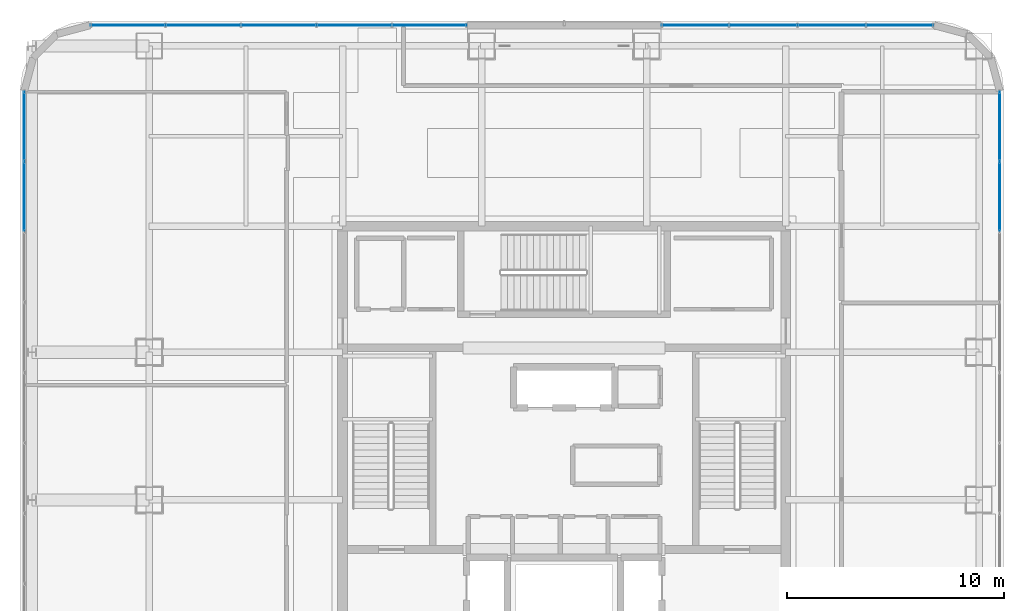
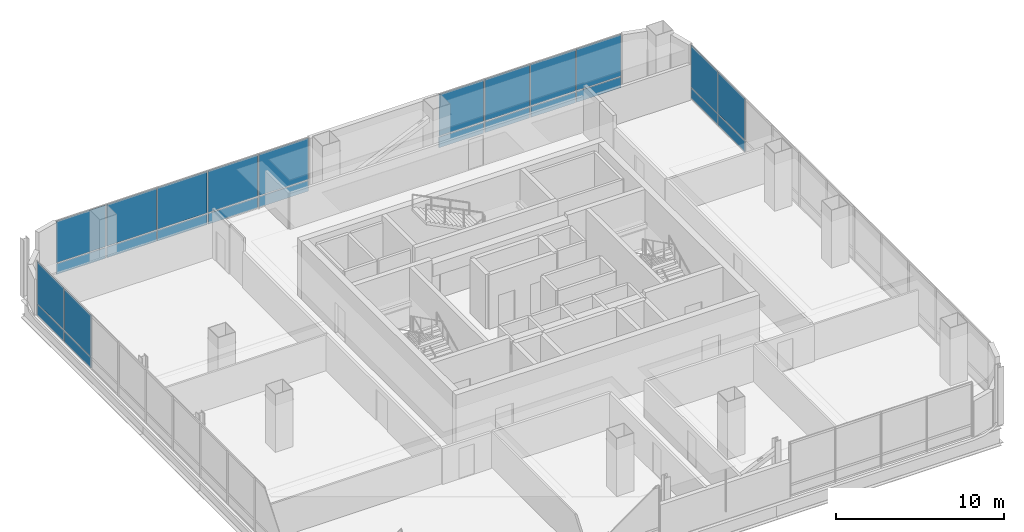
# One storey, part 33 of 46: 26 plates, 4 elements without a shape of their own.
"""IFC4 building model written with IfcOpenShell, lengths in metres."""

from ifc_helpers import new_model, si_unit, direction, frame, origin, origin_2d, place, context, subcontext, project, spatial, rectangle, extrude, material, layer, layer_set, type_object, element, aggregate, save


model = new_model("IFC4")

# Units and contexts
model_context = context("Model", 3, precision=1e-05, world=origin(), true_north=direction((0.0, 1.0)))
body_context = subcontext(model_context, "Body", "Model", "MODEL_VIEW")
ifc_project = project(units=[si_unit("LENGTHUNIT", "METRE"), si_unit("AREAUNIT", "SQUARE_METRE"), si_unit("VOLUMEUNIT", "CUBIC_METRE"), si_unit("PLANEANGLEUNIT", "RADIAN"), si_unit("MASSUNIT", "GRAM", prefix="KILO")], contexts=[model_context])

# Site, building, storey
site_placement = place(None, origin())
site = spatial("IfcSite", under=ifc_project, at=site_placement, CompositionType="ELEMENT")
building_placement = place(site_placement, origin())
building = spatial("IfcBuilding", under=site, at=building_placement, Name="Punatoya Terracotta Tower", CompositionType="ELEMENT")
storey_placement = place(building_placement, frame((0.0, 0.0, 330.0)))
storey = spatial("IfcBuildingStorey", under=building, at=storey_placement, Name="L78", CompositionType="ELEMENT", Elevation=330.0)

# Curtain wall, plates
ifc_material_1 = material(Name="Aluminium 6063-T6 + Double Low-E Glass", Category="aluminium")
curtain_wall_type = type_object("IfcCurtainWallType", Name="CW-OBS", PredefinedType="NOTDEFINED", material=ifc_material_1)
curtain_wall_1_placement = place(storey_placement, origin())
curtain_wall_1 = element("IfcCurtainWall", 1, at=curtain_wall_1_placement, inside=storey, type_object=curtain_wall_type, Name="L78 Curtain Wall CW-L78-E05-1", PredefinedType="NOTDEFINED")
ifc_material_2 = material(Name="Laminated Observation Low-Iron Glass", Category="glass")
ifc_layer_1 = layer(ifc_material_2, 0.0380859375)
ifc_layer_set_1 = layer_set([ifc_layer_1], Name="Laminated Observation Low-Iron Glass")
plate_type_1 = type_object("IfcPlateType", Name="PLT-GLZ-38", PredefinedType="CURTAIN_PANEL", material=ifc_layer_set_1)
plate_1_placement = place(storey_placement, frame((20.050048828125, 10.572265625, 0.89013671875), z_axis=(0.0, 0.0, 1.0), x_axis=(0.0, 1.0, 0.0)))
plate_1 = element("IfcPlate", 2, at=plate_1_placement, type_object=plate_type_1, Name="CW-L78-E05-1 Vision Glass Panel 10", PredefinedType="CURTAIN_PANEL", context=body_context, shape_type="SweptSolid", body=[
    extrude(rectangle(XDim=3.158203125, YDim=0.0380859375, at=origin_2d()), origin(), (0.0, 0.0, 1.0), 3.010009765625),
])
plate_2_placement = place(storey_placement, frame((20.050048828125, 13.8154296875, 0.89013671875), z_axis=(0.0, 0.0, 1.0), x_axis=(0.0, 1.0, 0.0)))
plate_2 = element("IfcPlate", 3, at=plate_2_placement, type_object=plate_type_1, Name="CW-L78-E05-1 Vision Glass Panel 11", PredefinedType="CURTAIN_PANEL", context=body_context, shape_type="SweptSolid", body=[
    extrude(rectangle(XDim=3.158203125, YDim=0.0380859375, at=origin_2d()), origin(), (0.0, 0.0, 1.0), 3.010009765625),
])

curtain_wall_2_placement = place(storey_placement, origin())
curtain_wall_2 = element("IfcCurtainWall", 4, at=curtain_wall_2_placement, inside=storey, type_object=curtain_wall_type, Name="L78 Curtain Wall CW-L78-N09-1", PredefinedType="NOTDEFINED")
plate_3_placement = place(storey_placement, frame((15.46337890625, 18.449951171875, 0.89013671875), z_axis=(0.0, 0.0, 1.0), x_axis=(-1.0, 0.0, 0.0)))
plate_3 = element("IfcPlate", 5, at=plate_3_placement, type_object=plate_type_1, Name="CW-L78-N09-1 Vision Glass Panel 1", PredefinedType="CURTAIN_PANEL", context=body_context, shape_type="SweptSolid", body=[
    extrude(rectangle(XDim=3.061767578125, YDim=0.0380859375, at=origin_2d()), origin(), (0.0, 0.0, 1.0), 3.010009765625),
])
plate_4_placement = place(storey_placement, frame((12.31689453125, 18.449951171875, 0.89013671875), z_axis=(0.0, 0.0, 1.0), x_axis=(-1.0, 0.0, 0.0)))
plate_4 = element("IfcPlate", 6, at=plate_4_placement, type_object=plate_type_1, Name="CW-L78-N09-1 Vision Glass Panel 2", PredefinedType="CURTAIN_PANEL", context=body_context, shape_type="SweptSolid", body=[
    extrude(rectangle(XDim=3.061767578125, YDim=0.0380859375, at=origin_2d()), origin(), (0.0, 0.0, 1.0), 3.010009765625),
])
plate_5_placement = place(storey_placement, frame((9.170166015625, 18.449951171875, 0.89013671875), z_axis=(0.0, 0.0, 1.0), x_axis=(-1.0, 0.0, 0.0)))
plate_5 = element("IfcPlate", 7, at=plate_5_placement, type_object=plate_type_1, Name="CW-L78-N09-1 Vision Glass Panel 3", PredefinedType="CURTAIN_PANEL", context=body_context, shape_type="SweptSolid", body=[
    extrude(rectangle(XDim=3.061767578125, YDim=0.0380859375, at=origin_2d()), origin(), (0.0, 0.0, 1.0), 3.010009765625),
])
plate_6_placement = place(storey_placement, frame((6.0234375, 18.449951171875, 0.89013671875), z_axis=(0.0, 0.0, 1.0), x_axis=(-1.0, 0.0, 0.0)))
plate_6 = element("IfcPlate", 8, at=plate_6_placement, type_object=plate_type_1, Name="CW-L78-N09-1 Vision Glass Panel 4", PredefinedType="CURTAIN_PANEL", context=body_context, shape_type="SweptSolid", body=[
    extrude(rectangle(XDim=3.061767578125, YDim=0.0380859375, at=origin_2d()), origin(), (0.0, 0.0, 1.0), 3.010009765625),
])

curtain_wall_3_placement = place(storey_placement, origin())
curtain_wall_3 = element("IfcCurtainWall", 9, at=curtain_wall_3_placement, inside=storey, type_object=curtain_wall_type, Name="L78 Curtain Wall CW-L78-N09-2", PredefinedType="NOTDEFINED")
plate_7_placement = place(storey_placement, frame((-6.188720703125, 18.449951171875, 0.89013671875), z_axis=(0.0, 0.0, 1.0), x_axis=(-1.0, 0.0, 0.0)))
plate_7 = element("IfcPlate", 10, at=plate_7_placement, type_object=plate_type_1, Name="CW-L78-N09-2 Vision Glass Panel 1", PredefinedType="CURTAIN_PANEL", context=body_context, shape_type="SweptSolid", body=[
    extrude(rectangle(XDim=3.392333984375, YDim=0.0380859375, at=origin_2d()), origin(), (0.0, 0.0, 1.0), 3.010009765625),
])
plate_8_placement = place(storey_placement, frame((-9.666015625, 18.449951171875, 0.89013671875), z_axis=(0.0, 0.0, 1.0), x_axis=(-1.0, 0.0, 0.0)))
plate_8 = element("IfcPlate", 11, at=plate_8_placement, type_object=plate_type_1, Name="CW-L78-N09-2 Vision Glass Panel 2", PredefinedType="CURTAIN_PANEL", context=body_context, shape_type="SweptSolid", body=[
    extrude(rectangle(XDim=3.392333984375, YDim=0.0380859375, at=origin_2d()), origin(), (0.0, 0.0, 1.0), 3.010009765625),
])
plate_9_placement = place(storey_placement, frame((-13.1435546875, 18.449951171875, 0.89013671875), z_axis=(0.0, 0.0, 1.0), x_axis=(-1.0, 0.0, 0.0)))
plate_9 = element("IfcPlate", 12, at=plate_9_placement, type_object=plate_type_1, Name="CW-L78-N09-2 Vision Glass Panel 3", PredefinedType="CURTAIN_PANEL", context=body_context, shape_type="SweptSolid", body=[
    extrude(rectangle(XDim=3.392333984375, YDim=0.0380859375, at=origin_2d()), origin(), (0.0, 0.0, 1.0), 3.010009765625),
])
plate_10_placement = place(storey_placement, frame((-16.620849609375, 18.449951171875, 0.89013671875), z_axis=(0.0, 0.0, 1.0), x_axis=(-1.0, 0.0, 0.0)))
plate_10 = element("IfcPlate", 13, at=plate_10_placement, type_object=plate_type_1, Name="CW-L78-N09-2 Vision Glass Panel 4", PredefinedType="CURTAIN_PANEL", context=body_context, shape_type="SweptSolid", body=[
    extrude(rectangle(XDim=3.392333984375, YDim=0.0380859375, at=origin_2d()), origin(), (0.0, 0.0, 1.0), 3.010009765625),
])
plate_11_placement = place(storey_placement, frame((-20.09814453125, 18.449951171875, 0.89013671875), z_axis=(0.0, 0.0, 1.0), x_axis=(-1.0, 0.0, 0.0)))
plate_11 = element("IfcPlate", 14, at=plate_11_placement, type_object=plate_type_1, Name="CW-L78-N09-2 Vision Glass Panel 5", PredefinedType="CURTAIN_PANEL", context=body_context, shape_type="SweptSolid", body=[
    extrude(rectangle(XDim=3.392333984375, YDim=0.0380859375, at=origin_2d()), origin(), (0.0, 0.0, 1.0), 3.010009765625),
])

curtain_wall_4_placement = place(storey_placement, origin())
curtain_wall_4 = element("IfcCurtainWall", 15, at=curtain_wall_4_placement, inside=storey, type_object=curtain_wall_type, Name="L78 Curtain Wall CW-L78-W13-1", PredefinedType="NOTDEFINED")
plate_12_placement = place(storey_placement, frame((-24.85009765625, 13.8154296875, 0.89013671875), z_axis=(0.0, 0.0, 1.0), x_axis=(0.0, -1.0, 0.0)))
plate_12 = element("IfcPlate", 16, at=plate_12_placement, type_object=plate_type_1, Name="CW-L78-W13-1 Vision Glass Panel 1", PredefinedType="CURTAIN_PANEL", context=body_context, shape_type="SweptSolid", body=[
    extrude(rectangle(XDim=3.158203125, YDim=0.0380859375, at=origin_2d()), origin(), (0.0, 0.0, 1.0), 3.010009765625),
])
plate_13_placement = place(storey_placement, frame((-24.85009765625, 10.572265625, 0.89013671875), z_axis=(0.0, 0.0, 1.0), x_axis=(0.0, -1.0, 0.0)))
plate_13 = element("IfcPlate", 17, at=plate_13_placement, type_object=plate_type_1, Name="CW-L78-W13-1 Vision Glass Panel 2", PredefinedType="CURTAIN_PANEL", context=body_context, shape_type="SweptSolid", body=[
    extrude(rectangle(XDim=3.158203125, YDim=0.0380859375, at=origin_2d()), origin(), (0.0, 0.0, 1.0), 3.010009765625),
])

# Plate
ifc_material_3 = material(Name="Insulated Terracotta-Backed Spandrel Panel", Category="masonry")
ifc_layer_2 = layer(ifc_material_3, 0.044921875)
ifc_layer_set_2 = layer_set([ifc_layer_2], Name="Insulated Terracotta-Backed Spandrel Panel")
plate_type_2 = type_object("IfcPlateType", Name="PLT-SPN-45", PredefinedType="CURTAIN_PANEL", material=ifc_layer_set_2)
plate_14_placement = place(storey_placement, frame((20.050048828125, 10.572265625, 0.0400390625), z_axis=(0.0, 0.0, 1.0), x_axis=(0.0, 1.0, 0.0)))
plate_14 = element("IfcPlate", 18, at=plate_14_placement, type_object=plate_type_2, Name="CW-L78-E05-1 Terracotta Spandrel Panel 10", PredefinedType="CURTAIN_PANEL", context=body_context, shape_type="SweptSolid", body=[
    extrude(rectangle(XDim=3.158203125, YDim=0.044921875, at=origin_2d()), origin(), (0.0, 0.0, 1.0), 0.77490234375),
])

plate_15_placement = place(storey_placement, frame((20.050048828125, 13.8154296875, 0.0400390625), z_axis=(0.0, 0.0, 1.0), x_axis=(0.0, 1.0, 0.0)))
plate_15 = element("IfcPlate", 19, at=plate_15_placement, type_object=plate_type_2, Name="CW-L78-E05-1 Terracotta Spandrel Panel 11", PredefinedType="CURTAIN_PANEL", context=body_context, shape_type="SweptSolid", body=[
    extrude(rectangle(XDim=3.158203125, YDim=0.044921875, at=origin_2d()), origin(), (0.0, 0.0, 1.0), 0.77490234375),
])

aggregate(curtain_wall_1, [plate_14, plate_1, plate_15, plate_2])

plate_16_placement = place(storey_placement, frame((15.46337890625, 18.449951171875, 0.0400390625), z_axis=(0.0, 0.0, 1.0), x_axis=(-1.0, 0.0, 0.0)))
plate_16 = element("IfcPlate", 20, at=plate_16_placement, type_object=plate_type_2, Name="CW-L78-N09-1 Terracotta Spandrel Panel 1", PredefinedType="CURTAIN_PANEL", context=body_context, shape_type="SweptSolid", body=[
    extrude(rectangle(XDim=3.061767578125, YDim=0.044921875, at=origin_2d()), origin(), (0.0, 0.0, 1.0), 0.77490234375),
])

plate_17_placement = place(storey_placement, frame((12.31689453125, 18.449951171875, 0.0400390625), z_axis=(0.0, 0.0, 1.0), x_axis=(-1.0, 0.0, 0.0)))
plate_17 = element("IfcPlate", 21, at=plate_17_placement, type_object=plate_type_2, Name="CW-L78-N09-1 Terracotta Spandrel Panel 2", PredefinedType="CURTAIN_PANEL", context=body_context, shape_type="SweptSolid", body=[
    extrude(rectangle(XDim=3.061767578125, YDim=0.044921875, at=origin_2d()), origin(), (0.0, 0.0, 1.0), 0.77490234375),
])

plate_18_placement = place(storey_placement, frame((9.170166015625, 18.449951171875, 0.0400390625), z_axis=(0.0, 0.0, 1.0), x_axis=(-1.0, 0.0, 0.0)))
plate_18 = element("IfcPlate", 22, at=plate_18_placement, type_object=plate_type_2, Name="CW-L78-N09-1 Terracotta Spandrel Panel 3", PredefinedType="CURTAIN_PANEL", context=body_context, shape_type="SweptSolid", body=[
    extrude(rectangle(XDim=3.061767578125, YDim=0.044921875, at=origin_2d()), origin(), (0.0, 0.0, 1.0), 0.77490234375),
])

plate_19_placement = place(storey_placement, frame((6.0234375, 18.449951171875, 0.0400390625), z_axis=(0.0, 0.0, 1.0), x_axis=(-1.0, 0.0, 0.0)))
plate_19 = element("IfcPlate", 23, at=plate_19_placement, type_object=plate_type_2, Name="CW-L78-N09-1 Terracotta Spandrel Panel 4", PredefinedType="CURTAIN_PANEL", context=body_context, shape_type="SweptSolid", body=[
    extrude(rectangle(XDim=3.061767578125, YDim=0.044921875, at=origin_2d()), origin(), (0.0, 0.0, 1.0), 0.77490234375),
])

aggregate(curtain_wall_2, [plate_16, plate_3, plate_17, plate_4, plate_18, plate_5, plate_19, plate_6])

plate_20_placement = place(storey_placement, frame((-6.188720703125, 18.449951171875, 0.0400390625), z_axis=(0.0, 0.0, 1.0), x_axis=(-1.0, 0.0, 0.0)))
plate_20 = element("IfcPlate", 24, at=plate_20_placement, type_object=plate_type_2, Name="CW-L78-N09-2 Terracotta Spandrel Panel 1", PredefinedType="CURTAIN_PANEL", context=body_context, shape_type="SweptSolid", body=[
    extrude(rectangle(XDim=3.392333984375, YDim=0.044921875, at=origin_2d()), origin(), (0.0, 0.0, 1.0), 0.77490234375),
])

plate_21_placement = place(storey_placement, frame((-9.666015625, 18.449951171875, 0.0400390625), z_axis=(0.0, 0.0, 1.0), x_axis=(-1.0, 0.0, 0.0)))
plate_21 = element("IfcPlate", 25, at=plate_21_placement, type_object=plate_type_2, Name="CW-L78-N09-2 Terracotta Spandrel Panel 2", PredefinedType="CURTAIN_PANEL", context=body_context, shape_type="SweptSolid", body=[
    extrude(rectangle(XDim=3.392333984375, YDim=0.044921875, at=origin_2d()), origin(), (0.0, 0.0, 1.0), 0.77490234375),
])

plate_22_placement = place(storey_placement, frame((-13.1435546875, 18.449951171875, 0.0400390625), z_axis=(0.0, 0.0, 1.0), x_axis=(-1.0, 0.0, 0.0)))
plate_22 = element("IfcPlate", 26, at=plate_22_placement, type_object=plate_type_2, Name="CW-L78-N09-2 Terracotta Spandrel Panel 3", PredefinedType="CURTAIN_PANEL", context=body_context, shape_type="SweptSolid", body=[
    extrude(rectangle(XDim=3.392333984375, YDim=0.044921875, at=origin_2d()), origin(), (0.0, 0.0, 1.0), 0.77490234375),
])

plate_23_placement = place(storey_placement, frame((-16.620849609375, 18.449951171875, 0.0400390625), z_axis=(0.0, 0.0, 1.0), x_axis=(-1.0, 0.0, 0.0)))
plate_23 = element("IfcPlate", 27, at=plate_23_placement, type_object=plate_type_2, Name="CW-L78-N09-2 Terracotta Spandrel Panel 4", PredefinedType="CURTAIN_PANEL", context=body_context, shape_type="SweptSolid", body=[
    extrude(rectangle(XDim=3.392333984375, YDim=0.044921875, at=origin_2d()), origin(), (0.0, 0.0, 1.0), 0.77490234375),
])

plate_24_placement = place(storey_placement, frame((-20.09814453125, 18.449951171875, 0.0400390625), z_axis=(0.0, 0.0, 1.0), x_axis=(-1.0, 0.0, 0.0)))
plate_24 = element("IfcPlate", 28, at=plate_24_placement, type_object=plate_type_2, Name="CW-L78-N09-2 Terracotta Spandrel Panel 5", PredefinedType="CURTAIN_PANEL", context=body_context, shape_type="SweptSolid", body=[
    extrude(rectangle(XDim=3.392333984375, YDim=0.044921875, at=origin_2d()), origin(), (0.0, 0.0, 1.0), 0.77490234375),
])

aggregate(curtain_wall_3, [plate_20, plate_7, plate_21, plate_8, plate_22, plate_9, plate_23, plate_10, plate_24, plate_11])

plate_25_placement = place(storey_placement, frame((-24.85009765625, 13.8154296875, 0.0400390625), z_axis=(0.0, 0.0, 1.0), x_axis=(0.0, -1.0, 0.0)))
plate_25 = element("IfcPlate", 29, at=plate_25_placement, type_object=plate_type_2, Name="CW-L78-W13-1 Terracotta Spandrel Panel 1", PredefinedType="CURTAIN_PANEL", context=body_context, shape_type="SweptSolid", body=[
    extrude(rectangle(XDim=3.158203125, YDim=0.044921875, at=origin_2d()), origin(), (0.0, 0.0, 1.0), 0.77490234375),
])

plate_26_placement = place(storey_placement, frame((-24.85009765625, 10.572265625, 0.0400390625), z_axis=(0.0, 0.0, 1.0), x_axis=(0.0, -1.0, 0.0)))
plate_26 = element("IfcPlate", 30, at=plate_26_placement, type_object=plate_type_2, Name="CW-L78-W13-1 Terracotta Spandrel Panel 2", PredefinedType="CURTAIN_PANEL", context=body_context, shape_type="SweptSolid", body=[
    extrude(rectangle(XDim=3.158203125, YDim=0.044921875, at=origin_2d()), origin(), (0.0, 0.0, 1.0), 0.77490234375),
])

aggregate(curtain_wall_4, [plate_25, plate_12, plate_26, plate_13])

save(model, "model.ifc")
